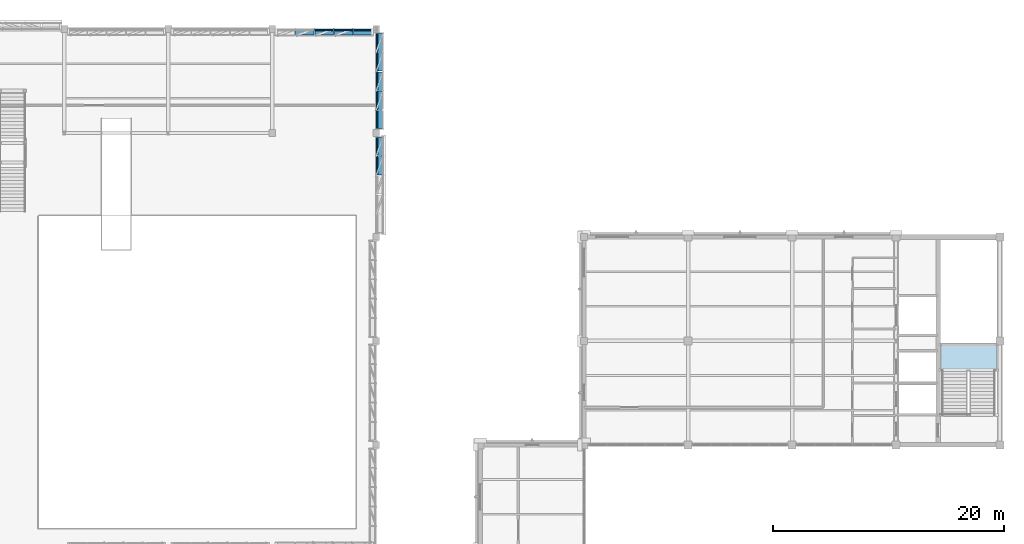
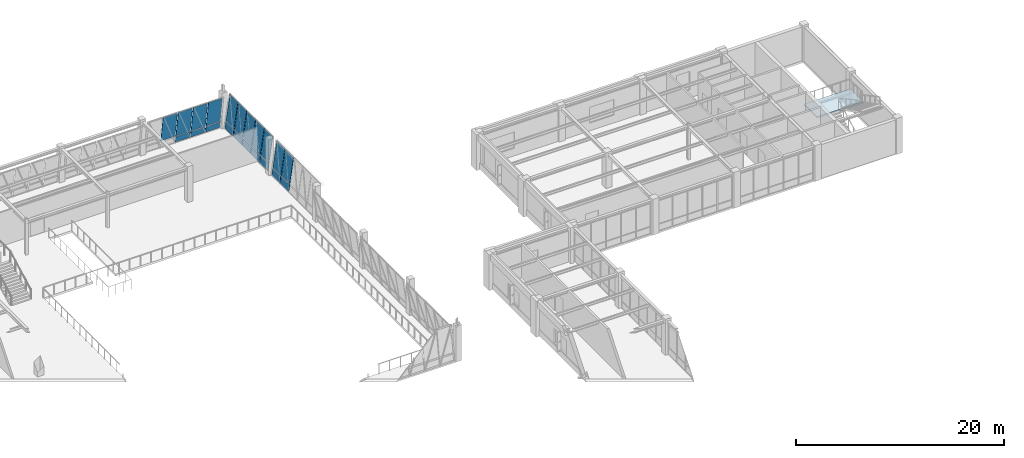
# One storey, part 86 of 108: 21 plates, 1 slab, 4 elements without a shape of their own.
"""IFC4 building model written with IfcOpenShell, lengths in metres."""

import ifcopenshell
import ifcopenshell.guid

model = None  # the IFC model being written
_history = None  # IfcOwnerHistory: only IFC2X3 demands one
_inside = {}  # id of a spatial element -> (the spatial element, [elements in it])
_under = {}  # id of a project, library or spatial element -> (it, [spatial elements below it])
_declared = {}  # id of a project -> (the project, [libraries it declares])
_typed = {}  # id of a type object -> (the type object, [elements of that type])
_made_of = {}  # id of a material, layer set ... -> (it, [elements and type objects made of it])


def new_model(schema):
    """Start an empty IFC model of exactly this schema.

    Asked for "IFC4X3", IfcOpenShell would pick the latest addendum, in which some entities
    have other attributes; the version numbers below select the first issue.
    IFC2X3 requires an IfcOwnerHistory on every rooted entity: one is made here for all.
    """
    global model, _history
    if schema == "IFC4X3":
        model = ifcopenshell.file(schema_version=(4, 3, 0, 0))
    else:
        model = ifcopenshell.file(schema=schema)
    _inside.clear()
    _under.clear()
    _declared.clear()
    _typed.clear()
    _made_of.clear()
    _history = None
    if model.schema == "IFC2X3":
        org = make("IfcOrganization", Name="unknown")
        user = make(
            "IfcPersonAndOrganization",
            ThePerson=make("IfcPerson", FamilyName="unknown"),
            TheOrganization=org,
        )
        app = make(
            "IfcApplication",
            ApplicationDeveloper=org,
            Version="unknown",
            ApplicationFullName="unknown",
            ApplicationIdentifier="unknown",
        )
        _history = make(
            "IfcOwnerHistory",
            OwningUser=user,
            OwningApplication=app,
            ChangeAction="ADDED",
            CreationDate=0,
        )
    return model


def make(cls, **values):
    """One entity of the class cls with the attributes given. An attribute that is None is left unset."""
    return model.create_entity(
        cls, **{name: value for name, value in values.items() if value is not None}
    )


def rooted(cls, **values):
    """An entity with a GlobalId (a new one), such as an element, a storey or a relation."""
    return make(cls, GlobalId=ifcopenshell.guid.new(), OwnerHistory=_history, **values)


def si_unit(unit_type, name, prefix=None):
    """IfcSIUnit, for example si_unit("LENGTHUNIT", "METRE", prefix="MILLI")."""
    return make("IfcSIUnit", UnitType=unit_type, Prefix=prefix, Name=name)


def assignment(units):
    """IfcUnitAssignment: the units of a project."""
    return None if units is None else make("IfcUnitAssignment", Units=units)


def point(xyz):
    """IfcCartesianPoint."""
    return None if xyz is None else make("IfcCartesianPoint", Coordinates=xyz)


def direction(xyz):
    """IfcDirection."""
    return None if xyz is None else make("IfcDirection", DirectionRatios=xyz)


def frame(location, z_axis=None, x_axis=None):
    """IfcAxis2Placement3D, a coordinate frame: its origin and axes. An axis left out is left unset."""
    return make(
        "IfcAxis2Placement3D",
        Location=point(location),
        Axis=direction(z_axis),
        RefDirection=direction(x_axis),
    )


def frame_2d(location, x_axis=None):
    """IfcAxis2Placement2D, a coordinate frame in the plane: its origin and x axis."""
    return make(
        "IfcAxis2Placement2D", Location=point(location), RefDirection=direction(x_axis)
    )


def origin():
    """The frame at (0, 0, 0) with its axes left unset."""
    return frame((0.0, 0.0, 0.0))


def origin_2d():
    """The frame at (0, 0) in the plane with its x axis left unset."""
    return frame_2d((0.0, 0.0))


def place(relative_to, where):
    """IfcLocalPlacement: puts the frame where relative to a parent placement (None: the world)."""
    return make(
        "IfcLocalPlacement", PlacementRelTo=relative_to, RelativePlacement=where
    )


def context(
    kind, dimensions, precision=None, world=None, true_north=None, identifier=None
):
    """IfcGeometricRepresentationContext, for example the 3D "Model" context."""
    return make(
        "IfcGeometricRepresentationContext",
        ContextIdentifier=identifier,
        ContextType=kind,
        CoordinateSpaceDimension=dimensions,
        Precision=precision,
        WorldCoordinateSystem=world,
        TrueNorth=true_north,
    )


def subcontext(parent, identifier, kind, view, scale=None):
    """IfcGeometricRepresentationSubContext, for example "Body" below "Model"."""
    return make(
        "IfcGeometricRepresentationSubContext",
        ContextIdentifier=identifier,
        ContextType=kind,
        ParentContext=parent,
        TargetScale=scale,
        TargetView=view,
    )


def project(units=None, contexts=None):
    """IfcProject with its units and contexts."""
    return rooted(
        "IfcProject",
        Name="project",
        RepresentationContexts=contexts,
        UnitsInContext=assignment(units),
    )


def spatial(cls, under=None, at=None, **own):
    """A site, building, storey or space (cls), placed at a placement, below another one or the project."""
    s = rooted(cls, ObjectPlacement=at, **own)
    if under is not None:
        _under.setdefault(under.id(), (under, []))[1].append(s)
    return s


def polyline(points):
    """IfcPolyline through the points."""
    return make("IfcPolyline", Points=[point(p) for p in points])


def profile(cls, at=None, kind="AREA", **sizes):
    """A parametric profile (cls). Its sizes go by their IFC names, for example OverallWidth=200.0."""
    return make(cls, ProfileType=kind, Position=at, **sizes)


def rectangle(**sizes):
    """IfcRectangleProfileDef."""
    return profile("IfcRectangleProfileDef", **sizes)


def outline(outer, holes=None, kind="AREA"):
    """IfcArbitraryClosedProfileDef: a profile drawn as a closed curve; with holes, ...WithVoids."""
    if holes is None:
        return make("IfcArbitraryClosedProfileDef", ProfileType=kind, OuterCurve=outer)
    return make(
        "IfcArbitraryProfileDefWithVoids",
        ProfileType=kind,
        OuterCurve=outer,
        InnerCurves=holes,
    )


def extrude(swept, where, along, depth):
    """IfcExtrudedAreaSolid: the profile swept, set in the frame where, extruded along a direction by depth."""
    return make(
        "IfcExtrudedAreaSolid",
        SweptArea=swept,
        Position=where,
        ExtrudedDirection=direction(along),
        Depth=depth,
    )


def shape(context_of_items, identifier, shape_type, items):
    """IfcShapeRepresentation: the items that make up one representation, for example the "Body"."""
    return make(
        "IfcShapeRepresentation",
        ContextOfItems=context_of_items,
        RepresentationIdentifier=identifier,
        RepresentationType=shape_type,
        Items=items,
    )


def material(Name=None, Category=None):
    """IfcMaterial."""
    return make("IfcMaterial", Name=Name, Category=Category)


def layer(
    of_material, thickness, ventilated=None, Name=None, Category=None, Priority=None
):
    """IfcMaterialLayer: one layer of a wall or slab, of a material (None: an air gap)."""
    return make(
        "IfcMaterialLayer",
        Material=of_material,
        LayerThickness=thickness,
        IsVentilated=ventilated,
        Name=Name,
        Category=Category,
        Priority=Priority,
    )


def layer_set(layers, Name=None):
    """IfcMaterialLayerSet."""
    return make("IfcMaterialLayerSet", MaterialLayers=layers, LayerSetName=Name)


def made_of(thing, what):
    """Note that an element or type object is made of a material, layer set ...; save() writes the relation."""
    if what is not None:
        _made_of.setdefault(what.id(), (what, []))[1].append(thing)
    return thing


def type_object(cls, material=None, **own):
    """A type object (cls), such as IfcWallType, which elements share."""
    return made_of(rooted(cls, **own), material)


def element(
    cls,
    number,
    at=None,
    inside=None,
    cuts=None,
    type_object=None,
    material=None,
    context=None,
    identifier="Body",
    shape_type=None,
    held_by="IfcProductDefinitionShape",
    body=None,
    shapes=None,
    **own,
):
    """One element of the class cls, such as IfcWall. Its Tag is "e" and its number.

    at: its placement. inside: the storey or other place that contains it. cuts: it is an
    opening in that element (IfcRelVoidsElement). A single representation is given by context,
    identifier, shape_type and body (its items); several are given by shapes. held_by: the class
    of the entity that holds the representations. save() writes the other relations.
    """
    e = rooted(cls, Tag="e%d" % number, ObjectPlacement=at, **own)
    if body is not None:
        shapes = [shape(context, identifier, shape_type, body)]
    if shapes is not None:
        e.Representation = make(held_by, Representations=shapes)
    if inside is not None:
        _inside.setdefault(inside.id(), (inside, []))[1].append(e)
    if cuts is not None:
        rooted(
            "IfcRelVoidsElement", RelatingBuildingElement=cuts, RelatedOpeningElement=e
        )
    if type_object is not None:
        _typed.setdefault(type_object.id(), (type_object, []))[1].append(e)
    return made_of(e, material)


def aggregate(whole, parts):
    """IfcRelAggregates: a whole, such as a stair, and the parts it consists of."""
    return rooted("IfcRelAggregates", RelatingObject=whole, RelatedObjects=parts)


def save(model, path):
    """Write the relations noted so far, then the file.

    IfcRelAggregates (storeys below a building ...), IfcRelContainedInSpatialStructure (elements
    in a storey), IfcRelDefinesByType, IfcRelAssociatesMaterial and IfcRelDeclares: one each for
    every whole, place, type object, material and project.
    """
    for whole, parts in _under.values():
        aggregate(whole, parts)
    for where, things in _inside.values():
        rooted(
            "IfcRelContainedInSpatialStructure",
            RelatedElements=things,
            RelatingStructure=where,
        )
    for kind, things in _typed.values():
        rooted("IfcRelDefinesByType", RelatedObjects=things, RelatingType=kind)
    for what, things in _made_of.values():
        rooted("IfcRelAssociatesMaterial", RelatedObjects=things, RelatingMaterial=what)
    for by, libraries in _declared.values():
        rooted("IfcRelDeclares", RelatingContext=by, RelatedDefinitions=libraries)
    model.write(path)


model = new_model("IFC4")

# Units and contexts
model_context = context("Model", 3, precision=1e-05, world=origin(), true_north=direction((0.0, 1.0)))
body_context = subcontext(model_context, "Body", "Model", "MODEL_VIEW")
ifc_project = project(units=[si_unit("LENGTHUNIT", "METRE"), si_unit("AREAUNIT", "SQUARE_METRE"), si_unit("VOLUMEUNIT", "CUBIC_METRE"), si_unit("PLANEANGLEUNIT", "RADIAN"), si_unit("MASSUNIT", "GRAM", prefix="KILO")], contexts=[model_context])

# Site, building, storey
site_placement = place(None, origin())
site = spatial("IfcSite", under=ifc_project, at=site_placement, CompositionType="ELEMENT")
building_placement = place(site_placement, origin())
building = spatial("IfcBuilding", under=site, at=building_placement, Name="Lykobir Media Centre", CompositionType="ELEMENT")
storey_placement = place(building_placement, frame((0.0, 0.0, 15.0)))
storey = spatial("IfcBuildingStorey", under=building, at=storey_placement, Name="L03", CompositionType="ELEMENT", Elevation=15.0)

# Curtain wall, plates
ifc_material_1 = material(Name="Anodized Aluminium AW-6060", Category="aluminium")
curtain_wall_type = type_object("IfcCurtainWallType", Name="CW-V6-CR3", PredefinedType="NOTDEFINED", material=ifc_material_1)
curtain_wall_1_placement = place(storey_placement, origin())
curtain_wall_1 = element("IfcCurtainWall", 1, at=curtain_wall_1_placement, inside=storey, type_object=curtain_wall_type, Name="Curtain wall CW2-L03-0128", PredefinedType="NOTDEFINED")
ifc_material_2 = material(Name="Low-E Laminated Triple Glazing", Category="glass")
ifc_layer_1 = layer(ifc_material_2, 0.0439453125, Name="Low-E Laminated Triple Glazing")
ifc_layer_set_1 = layer_set([ifc_layer_1], Name="Low-E Laminated Triple Glazing")
plate_type_1 = type_object("IfcPlateType", Name="CWP-GLZ-44", PredefinedType="CURTAIN_PANEL", material=ifc_layer_set_1)
plate_1_placement = place(storey_placement, frame((81.126708984375, 96.177978515625, 0.87841796875), z_axis=(0.142628933706, 0.0, 0.989776230908), x_axis=(0.0, 1.0, 0.0)))
plate_1 = element("IfcPlate", 2, at=plate_1_placement, type_object=plate_type_1, Name="CW2-L03-0128 panel 4.2", PredefinedType="CURTAIN_PANEL", context=body_context, shape_type="SweptSolid", body=[
    extrude(rectangle(XDim=1.60302734375, YDim=0.0439453125, at=origin_2d()), origin(), (0.0, 0.0, 1.0), 3.018310546875),
])
plate_2_placement = place(storey_placement, frame((81.126708984375, 97.837158203125, 0.87841796875), z_axis=(0.142628933706, 0.0, 0.989776230908), x_axis=(0.0, 1.0, 0.0)))
plate_2 = element("IfcPlate", 3, at=plate_2_placement, type_object=plate_type_1, Name="CW2-L03-0128 panel 5.2", PredefinedType="CURTAIN_PANEL", context=body_context, shape_type="SweptSolid", body=[
    extrude(rectangle(XDim=1.5654296875, YDim=0.0439453125, at=origin_2d()), origin(), (0.0, 0.0, 1.0), 3.018310546875),
])

curtain_wall_2_placement = place(storey_placement, origin())
curtain_wall_2 = element("IfcCurtainWall", 4, at=curtain_wall_2_placement, inside=storey, type_object=curtain_wall_type, Name="Curtain wall CW2-L03-0129", PredefinedType="NOTDEFINED")
plate_3_placement = place(storey_placement, frame((81.126708984375, 100.162841796875, 0.87841796875), z_axis=(0.142628933706, 0.0, 0.989776230908), x_axis=(0.0, 1.0, 0.0)))
plate_3 = element("IfcPlate", 5, at=plate_3_placement, type_object=plate_type_1, Name="CW2-L03-0129 panel 1.2", PredefinedType="CURTAIN_PANEL", context=body_context, shape_type="SweptSolid", body=[
    extrude(rectangle(XDim=1.5654296875, YDim=0.0439453125, at=origin_2d()), origin(), (0.0, 0.0, 1.0), 3.018310546875),
])
plate_4_placement = place(storey_placement, frame((81.126708984375, 101.822021484375, 0.87841796875), z_axis=(0.142628933706, 0.0, 0.989776230908), x_axis=(0.0, 1.0, 0.0)))
plate_4 = element("IfcPlate", 6, at=plate_4_placement, type_object=plate_type_1, Name="CW2-L03-0129 panel 2.2", PredefinedType="CURTAIN_PANEL", context=body_context, shape_type="SweptSolid", body=[
    extrude(rectangle(XDim=1.60302734375, YDim=0.0439453125, at=origin_2d()), origin(), (0.0, 0.0, 1.0), 3.018310546875),
])
plate_5_placement = place(storey_placement, frame((81.126708984375, 103.5, 0.87841796875), z_axis=(0.142628933706, 0.0, 0.989776230908), x_axis=(0.0, 1.0, 0.0)))
plate_5 = element("IfcPlate", 7, at=plate_5_placement, type_object=plate_type_1, Name="CW2-L03-0129 panel 3.2", PredefinedType="CURTAIN_PANEL", context=body_context, shape_type="SweptSolid", body=[
    extrude(rectangle(XDim=1.60302734375, YDim=0.0439453125, at=origin_2d()), origin(), (0.0, 0.0, 1.0), 3.018310546875),
])
plate_6_placement = place(storey_placement, frame((81.126708984375, 105.177978515625, 0.87841796875), z_axis=(0.142628933706, 0.0, 0.989776230908), x_axis=(0.0, 1.0, 0.0)))
plate_6 = element("IfcPlate", 8, at=plate_6_placement, type_object=plate_type_1, Name="CW2-L03-0129 panel 4.2", PredefinedType="CURTAIN_PANEL", context=body_context, shape_type="SweptSolid", body=[
    extrude(rectangle(XDim=1.60302734375, YDim=0.0439453125, at=origin_2d()), origin(), (0.0, 0.0, 1.0), 3.018310546875),
])
plate_7_placement = place(storey_placement, frame((81.126708984375, 106.837158203125, 0.87841796875), z_axis=(0.142628933706, 0.0, 0.989776230908), x_axis=(0.0, 1.0, 0.0)))
plate_7 = element("IfcPlate", 9, at=plate_7_placement, type_object=plate_type_1, Name="CW2-L03-0129 panel 5.2", PredefinedType="CURTAIN_PANEL", context=body_context, shape_type="SweptSolid", body=[
    extrude(rectangle(XDim=1.5654296875, YDim=0.0439453125, at=origin_2d()), origin(), (0.0, 0.0, 1.0), 3.018310546875),
])

curtain_wall_3_placement = place(storey_placement, origin())
curtain_wall_3 = element("IfcCurtainWall", 10, at=curtain_wall_3_placement, inside=storey, type_object=curtain_wall_type, Name="Curtain wall CW2-L03-0134", PredefinedType="NOTDEFINED")
plate_8_placement = place(storey_placement, frame((74.822021484375, 107.873291015625, 0.87841796875), z_axis=(0.0, -0.142628933706, 0.989776230908), x_axis=(1.0, 0.0, 0.0)))
plate_8 = element("IfcPlate", 11, at=plate_8_placement, type_object=plate_type_1, Name="CW2-L03-0134 panel 2.2", PredefinedType="CURTAIN_PANEL", context=body_context, shape_type="SweptSolid", body=[
    extrude(rectangle(XDim=1.60302734375, YDim=0.0439453125, at=origin_2d()), origin(), (0.0, 0.0, 1.0), 3.018310546875),
])
plate_9_placement = place(storey_placement, frame((76.5, 107.873291015625, 0.87841796875), z_axis=(0.0, -0.142628933706, 0.989776230908), x_axis=(1.0, 0.0, 0.0)))
plate_9 = element("IfcPlate", 12, at=plate_9_placement, type_object=plate_type_1, Name="CW2-L03-0134 panel 3.2", PredefinedType="CURTAIN_PANEL", context=body_context, shape_type="SweptSolid", body=[
    extrude(rectangle(XDim=1.60302734375, YDim=0.0439453125, at=origin_2d()), origin(), (0.0, 0.0, 1.0), 3.018310546875),
])
plate_10_placement = place(storey_placement, frame((78.177978515625, 107.873291015625, 0.87841796875), z_axis=(0.0, -0.142628933706, 0.989776230908), x_axis=(1.0, 0.0, 0.0)))
plate_10 = element("IfcPlate", 13, at=plate_10_placement, type_object=plate_type_1, Name="CW2-L03-0134 panel 4.2", PredefinedType="CURTAIN_PANEL", context=body_context, shape_type="SweptSolid", body=[
    extrude(rectangle(XDim=1.60302734375, YDim=0.0439453125, at=origin_2d()), origin(), (0.0, 0.0, 1.0), 3.018310546875),
])
plate_11_placement = place(storey_placement, frame((79.837158203125, 107.873291015625, 0.87841796875), z_axis=(0.0, -0.142628933706, 0.989776230908), x_axis=(1.0, 0.0, 0.0)))
plate_11 = element("IfcPlate", 14, at=plate_11_placement, type_object=plate_type_1, Name="CW2-L03-0134 panel 5.2", PredefinedType="CURTAIN_PANEL", context=body_context, shape_type="SweptSolid", body=[
    extrude(rectangle(XDim=1.5654296875, YDim=0.0439453125, at=origin_2d()), origin(), (0.0, 0.0, 1.0), 3.018310546875),
])
ifc_material_3 = material(Name="Pre-Weathered Titanium-Zinc", Category="metal")
ifc_layer_2 = layer(ifc_material_3, 0.052001953125, Name="Pre-Weathered Titanium-Zinc")
ifc_layer_set_2 = layer_set([ifc_layer_2], Name="Pre-Weathered Titanium-Zinc")
plate_type_2 = type_object("IfcPlateType", Name="CWP-SPN-52", PredefinedType="CURTAIN_PANEL", material=ifc_layer_set_2)
plate_12_placement = place(storey_placement, frame((76.5, 107.9892578125, 0.07421875), z_axis=(0.0, -0.142628933706, 0.989776230908), x_axis=(1.0, 0.0, 0.0)))
plate_12 = element("IfcPlate", 15, at=plate_12_placement, type_object=plate_type_2, Name="CW2-L03-0134 panel 3.1", PredefinedType="CURTAIN_PANEL", context=body_context, shape_type="SweptSolid", body=[
    extrude(rectangle(XDim=1.60302734375, YDim=0.052001953125, at=origin_2d()), origin(), (0.0, 0.0, 1.0), 0.737548828125),
])
plate_13_placement = place(storey_placement, frame((78.177978515625, 107.9892578125, 0.07421875), z_axis=(0.0, -0.142628933706, 0.989776230908), x_axis=(1.0, 0.0, 0.0)))
plate_13 = element("IfcPlate", 16, at=plate_13_placement, type_object=plate_type_2, Name="CW2-L03-0134 panel 4.1", PredefinedType="CURTAIN_PANEL", context=body_context, shape_type="SweptSolid", body=[
    extrude(rectangle(XDim=1.60302734375, YDim=0.052001953125, at=origin_2d()), origin(), (0.0, 0.0, 1.0), 0.737548828125),
])
plate_14_placement = place(storey_placement, frame((79.837158203125, 107.9892578125, 0.07421875), z_axis=(0.0, -0.142628933706, 0.989776230908), x_axis=(1.0, 0.0, 0.0)))
plate_14 = element("IfcPlate", 17, at=plate_14_placement, type_object=plate_type_2, Name="CW2-L03-0134 panel 5.1", PredefinedType="CURTAIN_PANEL", context=body_context, shape_type="SweptSolid", body=[
    extrude(rectangle(XDim=1.5654296875, YDim=0.052001953125, at=origin_2d()), origin(), (0.0, 0.0, 1.0), 0.737548828125),
])
aggregate(curtain_wall_3, [plate_8, plate_12, plate_9, plate_13, plate_10, plate_14, plate_11])

# Plate
ifc_material_4 = material(Name="Glazed Turquoise Terracotta", Category="masonry")
ifc_layer_3 = layer(ifc_material_4, 0.06005859375, Name="Glazed Turquoise Terracotta")
ifc_layer_set_3 = layer_set([ifc_layer_3], Name="Glazed Turquoise Terracotta")
plate_type_3 = type_object("IfcPlateType", Name="CWP-SPN-60", PredefinedType="CURTAIN_PANEL", material=ifc_layer_set_3)
plate_15_placement = place(storey_placement, frame((81.0107421875, 96.177978515625, 0.07421875), z_axis=(0.142628933706, 0.0, 0.989776230908), x_axis=(0.0, 1.0, 0.0)))
plate_15 = element("IfcPlate", 18, at=plate_15_placement, type_object=plate_type_3, Name="CW2-L03-0128 panel 4.1", PredefinedType="CURTAIN_PANEL", context=body_context, shape_type="SweptSolid", body=[
    extrude(rectangle(XDim=1.60302734375, YDim=0.06005859375, at=origin_2d()), origin(), (0.0, 0.0, 1.0), 0.737548828125),
])

plate_16_placement = place(storey_placement, frame((81.0107421875, 97.837158203125, 0.07421875), z_axis=(0.142628933706, 0.0, 0.989776230908), x_axis=(0.0, 1.0, 0.0)))
plate_16 = element("IfcPlate", 19, at=plate_16_placement, type_object=plate_type_3, Name="CW2-L03-0128 panel 5.1", PredefinedType="CURTAIN_PANEL", context=body_context, shape_type="SweptSolid", body=[
    extrude(rectangle(XDim=1.5654296875, YDim=0.06005859375, at=origin_2d()), origin(), (0.0, 0.0, 1.0), 0.737548828125),
])

aggregate(curtain_wall_1, [plate_15, plate_1, plate_16, plate_2])

plate_17_placement = place(storey_placement, frame((81.0107421875, 100.162841796875, 0.07421875), z_axis=(0.142628933706, 0.0, 0.989776230908), x_axis=(0.0, 1.0, 0.0)))
plate_17 = element("IfcPlate", 20, at=plate_17_placement, type_object=plate_type_3, Name="CW2-L03-0129 panel 1.1", PredefinedType="CURTAIN_PANEL", context=body_context, shape_type="SweptSolid", body=[
    extrude(rectangle(XDim=1.5654296875, YDim=0.06005859375, at=origin_2d()), origin(), (0.0, 0.0, 1.0), 0.737548828125),
])

plate_18_placement = place(storey_placement, frame((81.0107421875, 101.822021484375, 0.07421875), z_axis=(0.142628933706, 0.0, 0.989776230908), x_axis=(0.0, 1.0, 0.0)))
plate_18 = element("IfcPlate", 21, at=plate_18_placement, type_object=plate_type_3, Name="CW2-L03-0129 panel 2.1", PredefinedType="CURTAIN_PANEL", context=body_context, shape_type="SweptSolid", body=[
    extrude(rectangle(XDim=1.60302734375, YDim=0.06005859375, at=origin_2d()), origin(), (0.0, 0.0, 1.0), 0.737548828125),
])

plate_19_placement = place(storey_placement, frame((81.0107421875, 103.5, 0.07421875), z_axis=(0.142628933706, 0.0, 0.989776230908), x_axis=(0.0, 1.0, 0.0)))
plate_19 = element("IfcPlate", 22, at=plate_19_placement, type_object=plate_type_3, Name="CW2-L03-0129 panel 3.1", PredefinedType="CURTAIN_PANEL", context=body_context, shape_type="SweptSolid", body=[
    extrude(rectangle(XDim=1.60302734375, YDim=0.06005859375, at=origin_2d()), origin(), (0.0, 0.0, 1.0), 0.737548828125),
])

plate_20_placement = place(storey_placement, frame((81.0107421875, 105.177978515625, 0.07421875), z_axis=(0.142628933706, 0.0, 0.989776230908), x_axis=(0.0, 1.0, 0.0)))
plate_20 = element("IfcPlate", 23, at=plate_20_placement, type_object=plate_type_3, Name="CW2-L03-0129 panel 4.1", PredefinedType="CURTAIN_PANEL", context=body_context, shape_type="SweptSolid", body=[
    extrude(rectangle(XDim=1.60302734375, YDim=0.06005859375, at=origin_2d()), origin(), (0.0, 0.0, 1.0), 0.737548828125),
])

plate_21_placement = place(storey_placement, frame((81.0107421875, 106.837158203125, 0.07421875), z_axis=(0.142628933706, 0.0, 0.989776230908), x_axis=(0.0, 1.0, 0.0)))
plate_21 = element("IfcPlate", 24, at=plate_21_placement, type_object=plate_type_3, Name="CW2-L03-0129 panel 5.1", PredefinedType="CURTAIN_PANEL", context=body_context, shape_type="SweptSolid", body=[
    extrude(rectangle(XDim=1.5654296875, YDim=0.06005859375, at=origin_2d()), origin(), (0.0, 0.0, 1.0), 0.737548828125),
])

aggregate(curtain_wall_2, [plate_17, plate_3, plate_18, plate_4, plate_19, plate_5, plate_20, plate_6, plate_21, plate_7])

# Stair, slab
ifc_material_5 = material(Name="Concrete C30/37", Category="concrete")
stair_type = type_object("IfcStairType", Name="ST-HT-420", PredefinedType="HALF_TURN_STAIR", material=ifc_material_5)
stair_placement = place(storey_placement, origin())
stair = element("IfcStair", 25, at=stair_placement, inside=storey, type_object=stair_type, Name="Escape stair ST-4 L03", PredefinedType="HALF_TURN_STAIR")
ifc_layer_4 = layer(ifc_material_5, 0.195068359375, Name="Concrete C30/37")
ifc_layer_set_4 = layer_set([ifc_layer_4], Name="Concrete C30/37")
slab_type = type_object("IfcSlabType", Name="SL-195", PredefinedType="LANDING", material=ifc_layer_set_4)
slab_placement = place(storey_placement, frame((0.0, 0.0, 1.905029296875)))
slab = element("IfcSlab", 26, at=slab_placement, type_object=slab_type, Name="ST-4-L03 landing 1", PredefinedType="LANDING", context=body_context, shape_type="SweptSolid", body=[
    extrude(outline(polyline([(129.72998046875, 78.35009765625), (134.8701171875, 78.35009765625), (134.8701171875, 80.830078125), (129.72998046875, 80.830078125), (129.72998046875, 78.35009765625)])), origin(), (0.0, 0.0, 1.0), 0.195068359375),
])
aggregate(stair, [slab])

save(model, "model.ifc")
